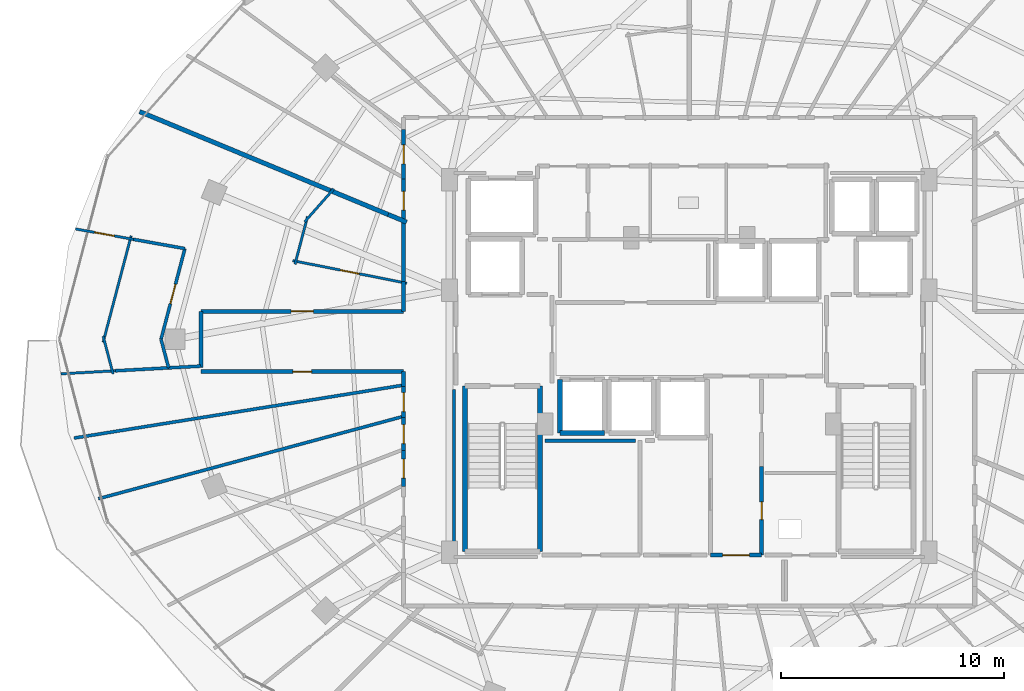
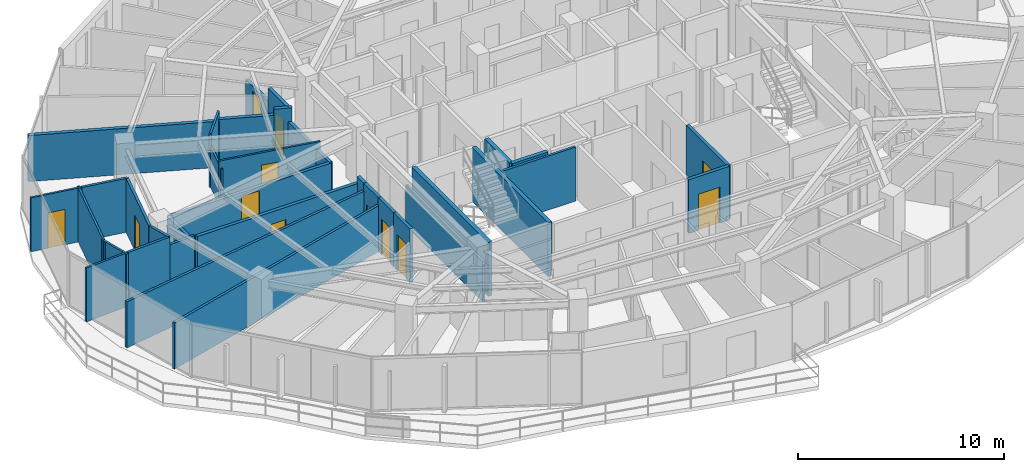
# One storey, part 25 of 33: 36 walls, 12 doors, 12 openings.
"""IFC4 building model written with IfcOpenShell, lengths in metres."""

from ifc_helpers import new_model, si_unit, direction, frame, frame_2d, origin, place, context, subcontext, project, spatial, rectangle, extrude, material, layer, layer_set, type_object, element, fill, save


model = new_model("IFC4")

# Units and contexts
model_context = context("Model", 3, precision=1e-05, world=origin(), true_north=direction((0.0, 1.0)))
body_context = subcontext(model_context, "Body", "Model", "MODEL_VIEW")
ifc_project = project(units=[si_unit("LENGTHUNIT", "METRE"), si_unit("AREAUNIT", "SQUARE_METRE"), si_unit("VOLUMEUNIT", "CUBIC_METRE"), si_unit("PLANEANGLEUNIT", "RADIAN"), si_unit("MASSUNIT", "GRAM", prefix="KILO")], contexts=[model_context])

# Site, building, storey
site_placement = place(None, origin())
site = spatial("IfcSite", under=ifc_project, at=site_placement, CompositionType="ELEMENT")
building_placement = place(site_placement, origin())
building = spatial("IfcBuilding", under=site, at=building_placement, Name="Vorneva Point Tower", CompositionType="ELEMENT")
storey_placement = place(building_placement, frame((0.0, 0.0, 221.39990234375)))
storey = spatial("IfcBuildingStorey", under=building, at=storey_placement, Name="L60", CompositionType="ELEMENT", Elevation=221.39990234375)

# Wall, opening, door
ifc_material_1 = material(Name="Fire-rated acoustic gypsum stud partition", Category="gypsum")
ifc_layer_1 = layer(ifc_material_1, 0.110107421875)
ifc_layer_set_1 = layer_set([ifc_layer_1], Name="Fire-rated acoustic gypsum stud partition")
wall_type_1 = type_object("IfcWallType", Name="WL-PART-110", PredefinedType="PARTITIONING", material=ifc_layer_set_1)
wall_1_placement = place(storey_placement, frame((25.33740234375, 28.5107421875, 0.0), z_axis=(0.0, 0.0, 1.0), x_axis=(-0.980930272027, 0.194359978959, 0.0)))
wall_1 = element("IfcWall", 1, at=wall_1_placement, inside=storey, type_object=wall_type_1, Name="L60 Interior Partition 116", PredefinedType="PARTITIONING", context=body_context, shape_type="SweptSolid", body=[
    extrude(rectangle(XDim=5.214111328125, YDim=0.110107421875, at=frame_2d((2.60693359375, 0.0))), origin(), (0.0, 0.0, 1.0), 2.833984375),
])
opening_1_placement = place(wall_1_placement, frame((2.181884765625, 0.0, 0.0)))
opening_1 = element("IfcOpeningElement", 2, at=opening_1_placement, cuts=wall_1, Name="Opening ID-02", PredefinedType="OPENING", context=body_context, shape_type="SweptSolid", body=[
    extrude(rectangle(XDim=0.85009765625, YDim=2.10009765625, at=frame_2d((0.425048828125, 1.050048828125))), frame((0.0, 0.06982421875, 0.0), z_axis=(0.0, -1.0, 0.0), x_axis=(1.0, 0.0, 0.0)), (0.0, 0.0, 1.0), 0.139892578125),
])
ifc_material_2 = material(Name="Engineered oak fire-rated door leaf", Category="wood")
door_type_1 = type_object("IfcDoorType", Name="DR-BATH-850", OperationType="NOTDEFINED", PredefinedType="DOOR", material=ifc_material_2)
door_1_placement = place(opening_1_placement, origin())
door_1 = element("IfcDoor", 3, at=door_1_placement, inside=storey, type_object=door_type_1, Name="L60 Door Living and Dining Room L60-03 / Bathroom L60-03", OperationType="SINGLE_SWING_RIGHT", OverallHeight=2.10009765625, OverallWidth=0.85009765625, PredefinedType="DOOR", context=body_context, shape_type="SweptSolid", body=[
    extrude(rectangle(XDim=0.85009765625, YDim=2.10009765625, at=frame_2d((0.425048828125, 1.050048828125))), frame((0.0, 0.02490234375, 0.0), z_axis=(0.0, -1.0, 0.0), x_axis=(1.0, 0.0, 0.0)), (0.0, 0.0, 1.0), 0.050048828125),
])
fill(opening_1, door_1)

# Walls
wall_2_placement = place(storey_placement, frame((20.324462890625, 29.361572265625, 0.0), z_axis=(0.0, 0.0, 1.0), x_axis=(0.254406599134, 0.967097348935, 0.0)))
element("IfcWall", 4, at=wall_2_placement, inside=storey, type_object=wall_type_1, Name="L60 Interior Partition 117", PredefinedType="PARTITIONING", context=body_context, shape_type="SweptSolid", body=[
    extrude(rectangle(XDim=2.2177734375, YDim=0.110107421875, at=frame_2d((1.10888671875, 0.0))), origin(), (0.0, 0.0, 1.0), 2.39208984375),
])
wall_3_placement = place(storey_placement, frame((20.760498046875, 31.26611328125, 0.0), z_axis=(0.0, 0.0, 1.0), x_axis=(0.661699472354, 0.749769170003, 0.0)))
element("IfcWall", 5, at=wall_3_placement, inside=storey, type_object=wall_type_1, Name="L60 Interior Partition 118", PredefinedType="PARTITIONING", context=body_context, shape_type="SweptSolid", body=[
    extrude(rectangle(XDim=1.970947265625, YDim=0.110107421875, at=frame_2d((0.9853515625, 0.0))), origin(), (0.0, 0.0, 1.0), 3.2001953125),
])
wall_4_placement = place(storey_placement, frame((12.273681640625, 24.584716796875, 0.0), z_axis=(0.0, 0.0, 1.0), x_axis=(-0.998485442787, -0.055016547898, 0.0)))
element("IfcWall", 6, at=wall_4_placement, inside=storey, type_object=wall_type_1, Name="L60 Interior Partition 119", PredefinedType="PARTITIONING", context=body_context, shape_type="SweptSolid", body=[
    extrude(rectangle(XDim=2.445068359375, YDim=0.110107421875, at=frame_2d((1.22265625, 0.0))), origin(), (0.0, 0.0, 1.0), 3.2001953125),
])

# Wall, opening, door
wall_5_placement = place(storey_placement, frame((10.480224609375, 30.94580078125, 0.0), z_axis=(0.0, 0.0, 1.0), x_axis=(0.98423288508, -0.176877437587, 0.0)))
wall_5 = element("IfcWall", 7, at=wall_5_placement, inside=storey, type_object=wall_type_1, Name="L60 Interior Partition 120", PredefinedType="PARTITIONING", context=body_context, shape_type="SweptSolid", body=[
    extrude(rectangle(XDim=2.643310546875, YDim=0.110107421875, at=frame_2d((1.32177734375, 0.0))), origin(), (0.0, 0.0, 1.0), 3.2001953125),
])
opening_2_placement = place(wall_5_placement, frame((0.87158203125, 0.0, 0.0)))
opening_2 = element("IfcOpeningElement", 8, at=opening_2_placement, cuts=wall_5, Name="Opening ID-01", PredefinedType="OPENING", context=body_context, shape_type="SweptSolid", body=[
    extrude(rectangle(XDim=0.89990234375, YDim=2.10009765625, at=frame_2d((0.449951171875, 1.050048828125))), frame((0.0, 0.06982421875, 0.0), z_axis=(0.0, -1.0, 0.0), x_axis=(1.0, 0.0, 0.0)), (0.0, 0.0, 1.0), 0.139892578125),
])
door_type_2 = type_object("IfcDoorType", Name="DR-ROOM-900", OperationType="NOTDEFINED", PredefinedType="DOOR", material=ifc_material_2)
door_2_placement = place(opening_2_placement, origin())
door_2 = element("IfcDoor", 9, at=door_2_placement, inside=storey, type_object=door_type_2, Name="L60 Door Living and Dining Room L60-03 / Kitchen L60-03", OperationType="SINGLE_SWING_LEFT", OverallHeight=2.10009765625, OverallWidth=0.89990234375, PredefinedType="DOOR", context=body_context, shape_type="SweptSolid", body=[
    extrude(rectangle(XDim=0.89990234375, YDim=2.10009765625, at=frame_2d((0.449951171875, 1.050048828125))), frame((0.0, 0.02490234375, 0.0), z_axis=(0.0, -1.0, 0.0), x_axis=(1.0, 0.0, 0.0)), (0.0, 0.0, 1.0), 0.050048828125),
])
fill(opening_2, door_2)

# Walls
wall_6_placement = place(storey_placement, frame((12.169677734375, 24.441650390625, 0.0), z_axis=(0.0, 0.0, 1.0), x_axis=(-0.254260000639, 0.967135901554, 0.0)))
element("IfcWall", 10, at=wall_6_placement, inside=storey, type_object=wall_type_1, Name="L60 Interior Partition 126", PredefinedType="PARTITIONING", context=body_context, shape_type="SweptSolid", body=[
    extrude(rectangle(XDim=1.75146484375, YDim=0.110107421875, at=frame_2d((0.875732421875, 0.0))), origin(), (0.0, 0.0, 1.0), 3.2001953125),
])
wall_7_placement = place(storey_placement, frame((11.724365234375, 25.864501953125, 0.0), z_axis=(0.0, 0.0, 1.0), x_axis=(0.254271749518, 0.967132812698, 0.0)))
element("IfcWall", 11, at=wall_7_placement, inside=storey, type_object=wall_type_1, Name="L60 Interior Partition 127", PredefinedType="PARTITIONING", context=body_context, shape_type="SweptSolid", body=[
    extrude(rectangle(XDim=4.936279296875, YDim=0.110107421875, at=frame_2d((2.46826171875, 0.0))), origin(), (0.0, 0.0, 1.0), 3.2001953125),
])

# Wall, opening, door
ifc_layer_2 = layer(ifc_material_1, 0.139892578125)
ifc_layer_set_2 = layer_set([ifc_layer_2], Name="Fire-rated acoustic gypsum stud partition")
wall_type_2 = type_object("IfcWallType", Name="WL-PART-140", PredefinedType="PARTITIONING", material=ifc_layer_set_2)
wall_8_placement = place(storey_placement, frame((15.388916015625, 30.06396484375, 0.0), z_axis=(0.0, 0.0, 1.0), x_axis=(-0.254356027292, -0.967110651053, 0.0)))
wall_8 = element("IfcWall", 12, at=wall_8_placement, inside=storey, type_object=wall_type_2, Name="L60 Interior Partition 121", PredefinedType="PARTITIONING", context=body_context, shape_type="SweptSolid", body=[
    extrude(rectangle(XDim=4.2021484375, YDim=0.139892578125, at=frame_2d((2.10107421875, 0.0))), origin(), (0.0, 0.0, 1.0), 3.2001953125),
])
opening_3_placement = place(wall_8_placement, frame((1.651123046875, 0.0, 0.0)))
opening_3 = element("IfcOpeningElement", 13, at=opening_3_placement, cuts=wall_8, Name="Opening ID-01", PredefinedType="OPENING", context=body_context, shape_type="SweptSolid", body=[
    extrude(rectangle(XDim=0.89990234375, YDim=2.10009765625, at=frame_2d((0.449951171875, 1.050048828125))), frame((0.0, 0.0849609375, 0.0), z_axis=(0.0, -1.0, 0.0), x_axis=(1.0, 0.0, 0.0)), (0.0, 0.0, 1.0), 0.169677734375),
])
door_3_placement = place(opening_3_placement, origin())
door_3 = element("IfcDoor", 14, at=door_3_placement, inside=storey, type_object=door_type_2, Name="L60 Door Living and Dining Room L60-03 / Study Room L60-03", OperationType="SINGLE_SWING_RIGHT", OverallHeight=2.10009765625, OverallWidth=0.89990234375, PredefinedType="DOOR", context=body_context, shape_type="SweptSolid", body=[
    extrude(rectangle(XDim=0.89990234375, YDim=2.10009765625, at=frame_2d((0.449951171875, 1.050048828125))), frame((0.0, 0.02490234375, 0.0), z_axis=(0.0, -1.0, 0.0), x_axis=(1.0, 0.0, 0.0)), (0.0, 0.0, 1.0), 0.050048828125),
])
fill(opening_3, door_3)

# Walls
wall_9_placement = place(storey_placement, frame((14.320068359375, 26.0, 0.0), z_axis=(0.0, 0.0, 1.0), x_axis=(0.254502350799, -0.967072155239, 0.0)))
element("IfcWall", 15, at=wall_9_placement, inside=storey, type_object=wall_type_2, Name="L60 Interior Partition 122", PredefinedType="PARTITIONING", context=body_context, shape_type="SweptSolid", body=[
    extrude(rectangle(XDim=1.32763671875, YDim=0.139892578125, at=frame_2d((0.663818359375, 0.0))), origin(), (0.0, 0.0, 1.0), 3.2001953125),
])
wall_10_placement = place(storey_placement, frame((14.657958984375, 24.716064453125, 0.0), z_axis=(0.0, 0.0, 1.0), x_axis=(-0.998486041439, -0.055005681988, 0.0)))
element("IfcWall", 16, at=wall_10_placement, inside=storey, type_object=wall_type_2, Name="L60 Interior Partition 123", PredefinedType="PARTITIONING", context=body_context, shape_type="SweptSolid", body=[
    extrude(rectangle(XDim=2.387939453125, YDim=0.139892578125, at=frame_2d((1.19384765625, 0.0))), origin(), (0.0, 0.0, 1.0), 3.2001953125),
])
wall_11_placement = place(storey_placement, frame((13.081787109375, 30.478271484375, 0.0), z_axis=(0.0, 0.0, 1.0), x_axis=(0.984255878712, -0.176749441923, 0.0)))
element("IfcWall", 17, at=wall_11_placement, inside=storey, type_object=wall_type_2, Name="L60 Interior Partition 124", PredefinedType="PARTITIONING", context=body_context, shape_type="SweptSolid", body=[
    extrude(rectangle(XDim=2.343994140625, YDim=0.139892578125, at=frame_2d((1.171875, 0.0))), origin(), (0.0, 0.0, 1.0), 3.2001953125),
])
wall_12_placement = place(storey_placement, frame((14.657958984375, 24.7158203125, 0.0), z_axis=(0.0, 0.0, 1.0), x_axis=(0.99849911476, 0.054767853933, 0.0)))
element("IfcWall", 18, at=wall_12_placement, inside=storey, type_object=wall_type_2, Name="L60 Interior Partition 125", PredefinedType="PARTITIONING", context=body_context, shape_type="SweptSolid", body=[
    extrude(rectangle(XDim=1.4443359375, YDim=0.139892578125, at=frame_2d((0.72216796875, 0.0))), origin(), (0.0, 0.0, 1.0), 2.734130859375),
])
wall_13_placement = place(storey_placement, frame((10.422119140625, 21.569091796875, 0.0), z_axis=(0.0, 0.0, 1.0), x_axis=(0.987340682458, 0.158613923612, 0.0)))
element("IfcWall", 19, at=wall_13_placement, inside=storey, type_object=wall_type_2, Name="L60 Interior Partition 128", PredefinedType="PARTITIONING", context=body_context, shape_type="SweptSolid", body=[
    extrude(rectangle(XDim=14.96728515625, YDim=0.139892578125, at=frame_2d((7.483642578125, 0.0))), origin(), (0.0, 0.0, 1.0), 2.734130859375),
])
wall_14_placement = place(storey_placement, frame((11.510986328125, 18.84912109375, 0.0), z_axis=(0.0, 0.0, 1.0), x_axis=(0.965432982217, 0.260651408682, 0.0)))
element("IfcWall", 20, at=wall_14_placement, inside=storey, type_object=wall_type_2, Name="L60 Interior Partition 129", PredefinedType="PARTITIONING", context=body_context, shape_type="SweptSolid", body=[
    extrude(rectangle(XDim=14.17919921875, YDim=0.139892578125, at=frame_2d((7.089599609375, 0.0))), origin(), (0.0, 0.0, 1.0), 2.734130859375),
])
wall_15_placement = place(storey_placement, frame((35.580078125, 21.449951171875, 0.0), z_axis=(0.0, 0.0, 1.0), x_axis=(-1.0, 0.0, 0.0)))
element("IfcWall", 21, at=wall_15_placement, inside=storey, type_object=wall_type_2, Name="L60 Interior Closure Partition 165", PredefinedType="PARTITIONING", context=body_context, shape_type="SweptSolid", body=[
    extrude(rectangle(XDim=4.050048828125, YDim=0.139892578125, at=frame_2d((2.02490234375, 0.0))), origin(), (0.0, 0.0, 1.0), 3.2001953125),
])
wall_16_placement = place(storey_placement, frame((27.449951171875, 23.75390625, 0.0), z_axis=(0.0, 0.0, 1.0), x_axis=(0.0, -1.0, 0.0)))
element("IfcWall", 22, at=wall_16_placement, inside=storey, type_object=wall_type_2, Name="L60 Interior Closure Partition 175", PredefinedType="PARTITIONING", context=body_context, shape_type="SweptSolid", body=[
    extrude(rectangle(XDim=7.513916015625, YDim=0.139892578125, at=frame_2d((3.7568359375, 0.0))), origin(), (0.0, 0.0, 1.0), 2.39208984375),
])

# Wall, opening, door
ifc_material_3 = material(Name="Autoclaved aerated concrete blockwork", Category="masonry")
ifc_layer_3 = layer(ifc_material_3, 0.179931640625)
ifc_layer_set_3 = layer_set([ifc_layer_3], Name="Autoclaved aerated concrete blockwork")
wall_type_3 = type_object("IfcWallType", Name="WL-PART-180", PredefinedType="PARTITIONING", material=ifc_layer_set_3)
wall_17_placement = place(storey_placement, frame((41.25, 16.320068359375, 0.0), z_axis=(0.0, 0.0, 1.0), x_axis=(0.0, 1.0, 0.0)))
wall_17 = element("IfcWall", 23, at=wall_17_placement, inside=storey, type_object=wall_type_3, Name="L60 Interior Partition 013", PredefinedType="PARTITIONING", context=body_context, shape_type="SweptSolid", body=[
    extrude(rectangle(XDim=3.98486328125, YDim=0.179931640625, at=frame_2d((1.992431640625, 0.0))), origin(), (0.0, 0.0, 1.0), 3.2001953125),
])
opening_4_placement = place(wall_17_placement, frame((1.592529296875, 0.0, 0.0)))
opening_4 = element("IfcOpeningElement", 24, at=opening_4_placement, cuts=wall_17, Name="Opening RD-01", PredefinedType="OPENING", context=body_context, shape_type="SweptSolid", body=[
    extrude(rectangle(XDim=0.800048828125, YDim=2.050048828125, at=frame_2d((0.39990234375, 1.02490234375))), frame((0.0, 0.10498046875, 0.0), z_axis=(0.0, -1.0, 0.0), x_axis=(1.0, 0.0, 0.0)), (0.0, 0.0, 1.0), 0.209716796875),
])
ifc_material_4 = material(Name="Fire-rated powder-coated steel", Category="steel")
door_type_3 = type_object("IfcDoorType", Name="DR-RSR-800", OperationType="SINGLE_SWING_LEFT", PredefinedType="DOOR", material=ifc_material_4)
door_4_placement = place(opening_4_placement, origin())
door_4 = element("IfcDoor", 25, at=door_4_placement, inside=storey, type_object=door_type_3, Name="L60 Door Core Service Lobby / Electrical Riser", OperationType="SINGLE_SWING_LEFT", OverallHeight=2.050048828125, OverallWidth=0.800048828125, PredefinedType="DOOR", context=body_context, shape_type="SweptSolid", body=[
    extrude(rectangle(XDim=0.800048828125, YDim=2.050048828125, at=frame_2d((0.39990234375, 1.02490234375))), frame((0.0, 0.02490234375, 0.0), z_axis=(0.0, -1.0, 0.0), x_axis=(1.0, 0.0, 0.0)), (0.0, 0.0, 1.0), 0.050048828125),
])
fill(opening_4, door_4)

wall_18_placement = place(storey_placement, frame((38.949951171875, 16.320068359375, 0.0), z_axis=(0.0, 0.0, 1.0), x_axis=(1.0, 0.0, 0.0)))
wall_18 = element("IfcWall", 26, at=wall_18_placement, inside=storey, type_object=wall_type_3, Name="L60 Interior Partition 016", PredefinedType="PARTITIONING", context=body_context, shape_type="SweptSolid", body=[
    extrude(rectangle(XDim=2.300048828125, YDim=0.179931640625, at=frame_2d((1.14990234375, 0.0))), origin(), (0.0, 0.0, 1.0), 3.2001953125),
])
opening_5_placement = place(wall_18_placement, frame((0.550048828125, 0.0, 0.0)))
opening_5 = element("IfcOpeningElement", 27, at=opening_5_placement, cuts=wall_18, Name="Opening FD-02", PredefinedType="OPENING", context=body_context, shape_type="SweptSolid", body=[
    extrude(rectangle(XDim=1.199951171875, YDim=2.14990234375, at=frame_2d((0.60009765625, 1.074951171875))), frame((0.0, 0.10498046875, 0.0), z_axis=(0.0, -1.0, 0.0), x_axis=(1.0, 0.0, 0.0)), (0.0, 0.0, 1.0), 0.209716796875),
])
door_type_4 = type_object("IfcDoorType", Name="DR-FFL-1200", OperationType="NOTDEFINED", PredefinedType="DOOR", material=ifc_material_4)
door_5_placement = place(opening_5_placement, origin())
door_5 = element("IfcDoor", 28, at=door_5_placement, inside=storey, type_object=door_type_4, Name="L60 Door Core Service Lobby / L60 Circulation Corridor", OperationType="SINGLE_SWING_RIGHT", OverallHeight=2.14990234375, OverallWidth=1.199951171875, PredefinedType="DOOR", context=body_context, shape_type="SweptSolid", body=[
    extrude(rectangle(XDim=1.199951171875, YDim=2.14990234375, at=frame_2d((0.60009765625, 1.074951171875))), frame((0.0, 0.02490234375, 0.0), z_axis=(0.0, -1.0, 0.0), x_axis=(1.0, 0.0, 0.0)), (0.0, 0.0, 1.0), 0.050048828125),
])
fill(opening_5, door_5)

wall_19_placement = place(storey_placement, frame((25.199951171875, 35.39404296875, 0.0), z_axis=(0.0, 0.0, 1.0), x_axis=(0.0, -1.0, 0.0)))
wall_19 = element("IfcWall", 29, at=wall_19_placement, inside=storey, type_object=wall_type_3, Name="L60 Interior Partition 046", PredefinedType="PARTITIONING", context=body_context, shape_type="SweptSolid", body=[
    extrude(rectangle(XDim=2.218994140625, YDim=0.179931640625, at=frame_2d((1.109375, 0.0))), origin(), (0.0, 0.0, 1.0), 2.39208984375),
])
opening_6_placement = place(wall_19_placement, frame((0.6845703125, 0.0, 0.0)))
opening_6 = element("IfcOpeningElement", 30, at=opening_6_placement, cuts=wall_19, Name="Opening ID-02", PredefinedType="OPENING", context=body_context, shape_type="SweptSolid", body=[
    extrude(rectangle(XDim=0.85009765625, YDim=2.10009765625, at=frame_2d((0.425048828125, 1.050048828125))), frame((0.0, 0.10498046875, 0.0), z_axis=(0.0, -1.0, 0.0), x_axis=(1.0, 0.0, 0.0)), (0.0, 0.0, 1.0), 0.209716796875),
])
door_6_placement = place(opening_6_placement, origin())
door_6 = element("IfcDoor", 31, at=door_6_placement, inside=storey, type_object=door_type_1, Name="L60 Access Door L60 Circulation Corridor", OperationType="SINGLE_SWING_LEFT", OverallHeight=2.10009765625, OverallWidth=0.85009765625, PredefinedType="DOOR", context=body_context, shape_type="SweptSolid", body=[
    extrude(rectangle(XDim=0.85009765625, YDim=2.10009765625, at=frame_2d((0.425048828125, 1.050048828125))), frame((0.0, 0.02490234375, 0.0), z_axis=(0.0, -1.0, 0.0), x_axis=(1.0, 0.0, 0.0)), (0.0, 0.0, 1.0), 0.050048828125),
])
fill(opening_6, door_6)

wall_20_placement = place(storey_placement, frame((25.199951171875, 33.175048828125, 0.0), z_axis=(0.0, 0.0, 1.0), x_axis=(0.0, -1.0, 0.0)))
wall_20 = element("IfcWall", 32, at=wall_20_placement, inside=storey, type_object=wall_type_3, Name="L60 Interior Partition 047", PredefinedType="PARTITIONING", context=body_context, shape_type="SweptSolid", body=[
    extrude(rectangle(XDim=1.93310546875, YDim=0.179931640625, at=frame_2d((0.966552734375, 0.0))), origin(), (0.0, 0.0, 1.0), 3.2001953125),
])
opening_7_placement = place(wall_20_placement, frame((0.54150390625, 0.0, 0.0)))
opening_7 = element("IfcOpeningElement", 33, at=opening_7_placement, cuts=wall_20, Name="Opening ID-02", PredefinedType="OPENING", context=body_context, shape_type="SweptSolid", body=[
    extrude(rectangle(XDim=0.85009765625, YDim=2.10009765625, at=frame_2d((0.425048828125, 1.050048828125))), frame((0.0, 0.10498046875, 0.0), z_axis=(0.0, -1.0, 0.0), x_axis=(1.0, 0.0, 0.0)), (0.0, 0.0, 1.0), 0.209716796875),
])
door_7_placement = place(opening_7_placement, origin())
door_7 = element("IfcDoor", 34, at=door_7_placement, inside=storey, type_object=door_type_1, Name="L60 Access Door L60 Circulation Corridor", OperationType="SINGLE_SWING_RIGHT", OverallHeight=2.10009765625, OverallWidth=0.85009765625, PredefinedType="DOOR", context=body_context, shape_type="SweptSolid", body=[
    extrude(rectangle(XDim=0.85009765625, YDim=2.10009765625, at=frame_2d((0.425048828125, 1.050048828125))), frame((0.0, 0.02490234375, 0.0), z_axis=(0.0, -1.0, 0.0), x_axis=(1.0, 0.0, 0.0)), (0.0, 0.0, 1.0), 0.050048828125),
])
fill(opening_7, door_7)

# Walls
wall_21_placement = place(storey_placement, frame((16.10009765625, 27.25, 0.0), z_axis=(0.0, 0.0, 1.0), x_axis=(0.0, -1.0, 0.0)))
element("IfcWall", 35, at=wall_21_placement, inside=storey, type_object=wall_type_3, Name="L60 Interior Partition 048", PredefinedType="PARTITIONING", context=body_context, shape_type="SweptSolid", body=[
    extrude(rectangle(XDim=2.514892578125, YDim=0.179931640625, at=frame_2d((1.25732421875, 0.0))), origin(), (0.0, 0.0, 1.0), 2.39208984375),
])
wall_22_placement = place(storey_placement, frame((25.199951171875, 28.59912109375, 0.0), z_axis=(0.0, 0.0, 1.0), x_axis=(0.0, -1.0, 0.0)))
element("IfcWall", 36, at=wall_22_placement, inside=storey, type_object=wall_type_3, Name="L60 Interior Partition 049", PredefinedType="PARTITIONING", context=body_context, shape_type="SweptSolid", body=[
    extrude(rectangle(XDim=1.34912109375, YDim=0.179931640625, at=frame_2d((0.674560546875, 0.0))), origin(), (0.0, 0.0, 1.0), 2.39208984375),
])

# Wall, opening, door
wall_23_placement = place(storey_placement, frame((25.199951171875, 27.25, 0.0), z_axis=(0.0, 0.0, 1.0), x_axis=(-1.0, 0.0, 0.0)))
wall_23 = element("IfcWall", 37, at=wall_23_placement, inside=storey, type_object=wall_type_3, Name="L60 Interior Partition 050", PredefinedType="PARTITIONING", context=body_context, shape_type="SweptSolid", body=[
    extrude(rectangle(XDim=9.099853515625, YDim=0.179931640625, at=frame_2d((4.5498046875, 0.0))), origin(), (0.0, 0.0, 1.0), 2.39208984375),
])
opening_8_placement = place(wall_23_placement, frame((4.050048828125, 0.0, 0.0)))
opening_8 = element("IfcOpeningElement", 38, at=opening_8_placement, cuts=wall_23, Name="Opening UD-01", PredefinedType="OPENING", context=body_context, shape_type="SweptSolid", body=[
    extrude(rectangle(XDim=1.0, YDim=2.14990234375, at=frame_2d((0.5, 1.074951171875))), frame((0.0, 0.10498046875, 0.0), z_axis=(0.0, -1.0, 0.0), x_axis=(1.0, 0.0, 0.0)), (0.0, 0.0, 1.0), 0.209716796875),
])
door_type_5 = type_object("IfcDoorType", Name="DR-UNIT-1000", OperationType="NOTDEFINED", PredefinedType="DOOR", material=ifc_material_2)
door_8_placement = place(opening_8_placement, origin())
door_8 = element("IfcDoor", 39, at=door_8_placement, inside=storey, type_object=door_type_5, Name="L60 Door L60 Circulation Corridor / Living and Dining Room L60-03", OperationType="SINGLE_SWING_LEFT", OverallHeight=2.14990234375, OverallWidth=1.0, PredefinedType="DOOR", context=body_context, shape_type="SweptSolid", body=[
    extrude(rectangle(XDim=1.0, YDim=2.14990234375, at=frame_2d((0.5, 1.074951171875))), frame((0.0, 0.02490234375, 0.0), z_axis=(0.0, -1.0, 0.0), x_axis=(1.0, 0.0, 0.0)), (0.0, 0.0, 1.0), 0.050048828125),
])
fill(opening_8, door_8)

# Wall
wall_24_placement = place(storey_placement, frame((25.199951171875, 31.382080078125, 0.0), z_axis=(0.0, 0.0, 1.0), x_axis=(0.0, -1.0, 0.0)))
element("IfcWall", 40, at=wall_24_placement, inside=storey, type_object=wall_type_3, Name="L60 Interior Partition 051", PredefinedType="PARTITIONING", context=body_context, shape_type="SweptSolid", body=[
    extrude(rectangle(XDim=2.923095703125, YDim=0.179931640625, at=frame_2d((1.46142578125, 0.0))), origin(), (0.0, 0.0, 1.0), 2.39208984375),
])

# Wall, opening, door
wall_25_placement = place(storey_placement, frame((16.10009765625, 24.550048828125, 0.0), z_axis=(0.0, 0.0, 1.0), x_axis=(1.0, 0.0, 0.0)))
wall_25 = element("IfcWall", 41, at=wall_25_placement, inside=storey, type_object=wall_type_3, Name="L60 Interior Partition 052", PredefinedType="PARTITIONING", context=body_context, shape_type="SweptSolid", body=[
    extrude(rectangle(XDim=9.099853515625, YDim=0.179931640625, at=frame_2d((4.5498046875, 0.0))), origin(), (0.0, 0.0, 1.0), 2.833984375),
])
opening_9_placement = place(wall_25_placement, frame((4.125, 0.0, 0.0)))
opening_9 = element("IfcOpeningElement", 42, at=opening_9_placement, cuts=wall_25, Name="Opening ID-02", PredefinedType="OPENING", context=body_context, shape_type="SweptSolid", body=[
    extrude(rectangle(XDim=0.85009765625, YDim=2.10009765625, at=frame_2d((0.425048828125, 1.050048828125))), frame((0.0, 0.10498046875, 0.0), z_axis=(0.0, -1.0, 0.0), x_axis=(1.0, 0.0, 0.0)), (0.0, 0.0, 1.0), 0.209716796875),
])
door_9_placement = place(opening_9_placement, origin())
door_9 = element("IfcDoor", 43, at=door_9_placement, inside=storey, type_object=door_type_1, Name="L60 Access Door L60 Circulation Corridor", OperationType="SINGLE_SWING_LEFT", OverallHeight=2.10009765625, OverallWidth=0.85009765625, PredefinedType="DOOR", context=body_context, shape_type="SweptSolid", body=[
    extrude(rectangle(XDim=0.85009765625, YDim=2.10009765625, at=frame_2d((0.425048828125, 1.050048828125))), frame((0.0, 0.02490234375, 0.0), z_axis=(0.0, -1.0, 0.0), x_axis=(1.0, 0.0, 0.0)), (0.0, 0.0, 1.0), 0.050048828125),
])
fill(opening_9, door_9)

# Wall
wall_26_placement = place(storey_placement, frame((25.199951171875, 24.550048828125, 0.0), z_axis=(0.0, 0.0, 1.0), x_axis=(0.0, -1.0, 0.0)))
element("IfcWall", 44, at=wall_26_placement, inside=storey, type_object=wall_type_3, Name="L60 Interior Partition 053", PredefinedType="PARTITIONING", context=body_context, shape_type="SweptSolid", body=[
    extrude(rectangle(XDim=0.66796875, YDim=0.179931640625, at=frame_2d((0.333984375, 0.0))), origin(), (0.0, 0.0, 1.0), 3.2001953125),
])

# Wall, opening, door
wall_27_placement = place(storey_placement, frame((25.199951171875, 23.882080078125, 0.0), z_axis=(0.0, 0.0, 1.0), x_axis=(0.0, -1.0, 0.0)))
wall_27 = element("IfcWall", 45, at=wall_27_placement, inside=storey, type_object=wall_type_3, Name="L60 Interior Partition 054", PredefinedType="PARTITIONING", context=body_context, shape_type="SweptSolid", body=[
    extrude(rectangle(XDim=1.399169921875, YDim=0.179931640625, at=frame_2d((0.69970703125, 0.0))), origin(), (0.0, 0.0, 1.0), 3.2001953125),
])
opening_10_placement = place(wall_27_placement, frame((0.2744140625, 0.0, 0.0)))
opening_10 = element("IfcOpeningElement", 46, at=opening_10_placement, cuts=wall_27, Name="Opening ID-02", PredefinedType="OPENING", context=body_context, shape_type="SweptSolid", body=[
    extrude(rectangle(XDim=0.85009765625, YDim=2.10009765625, at=frame_2d((0.425048828125, 1.050048828125))), frame((0.0, 0.10498046875, 0.0), z_axis=(0.0, -1.0, 0.0), x_axis=(1.0, 0.0, 0.0)), (0.0, 0.0, 1.0), 0.209716796875),
])
door_10_placement = place(opening_10_placement, origin())
door_10 = element("IfcDoor", 47, at=door_10_placement, inside=storey, type_object=door_type_1, Name="L60 Access Door L60 Circulation Corridor", OperationType="SINGLE_SWING_RIGHT", OverallHeight=2.10009765625, OverallWidth=0.85009765625, PredefinedType="DOOR", context=body_context, shape_type="SweptSolid", body=[
    extrude(rectangle(XDim=0.85009765625, YDim=2.10009765625, at=frame_2d((0.425048828125, 1.050048828125))), frame((0.0, 0.02490234375, 0.0), z_axis=(0.0, -1.0, 0.0), x_axis=(1.0, 0.0, 0.0)), (0.0, 0.0, 1.0), 0.050048828125),
])
fill(opening_10, door_10)

wall_28_placement = place(storey_placement, frame((25.199951171875, 22.48291015625, 0.0), z_axis=(0.0, 0.0, 1.0), x_axis=(0.0, -1.0, 0.0)))
wall_28 = element("IfcWall", 48, at=wall_28_placement, inside=storey, type_object=wall_type_3, Name="L60 Interior Partition 055", PredefinedType="PARTITIONING", context=body_context, shape_type="SweptSolid", body=[
    extrude(rectangle(XDim=1.48193359375, YDim=0.179931640625, at=frame_2d((0.740966796875, 0.0))), origin(), (0.0, 0.0, 1.0), 3.2001953125),
])
opening_11_placement = place(wall_28_placement, frame((0.31591796875, 0.0, 0.0)))
opening_11 = element("IfcOpeningElement", 49, at=opening_11_placement, cuts=wall_28, Name="Opening ID-02", PredefinedType="OPENING", context=body_context, shape_type="SweptSolid", body=[
    extrude(rectangle(XDim=0.85009765625, YDim=2.10009765625, at=frame_2d((0.425048828125, 1.050048828125))), frame((0.0, 0.10498046875, 0.0), z_axis=(0.0, -1.0, 0.0), x_axis=(1.0, 0.0, 0.0)), (0.0, 0.0, 1.0), 0.209716796875),
])
door_11_placement = place(opening_11_placement, origin())
door_11 = element("IfcDoor", 50, at=door_11_placement, inside=storey, type_object=door_type_1, Name="L60 Access Door L60 Circulation Corridor", OperationType="SINGLE_SWING_LEFT", OverallHeight=2.10009765625, OverallWidth=0.85009765625, PredefinedType="DOOR", context=body_context, shape_type="SweptSolid", body=[
    extrude(rectangle(XDim=0.85009765625, YDim=2.10009765625, at=frame_2d((0.425048828125, 1.050048828125))), frame((0.0, 0.02490234375, 0.0), z_axis=(0.0, -1.0, 0.0), x_axis=(1.0, 0.0, 0.0)), (0.0, 0.0, 1.0), 0.050048828125),
])
fill(opening_11, door_11)

wall_29_placement = place(storey_placement, frame((25.199951171875, 21.0009765625, 0.0), z_axis=(0.0, 0.0, 1.0), x_axis=(0.0, -1.0, 0.0)))
wall_29 = element("IfcWall", 51, at=wall_29_placement, inside=storey, type_object=wall_type_3, Name="L60 Interior Partition 056", PredefinedType="PARTITIONING", context=body_context, shape_type="SweptSolid", body=[
    extrude(rectangle(XDim=1.60791015625, YDim=0.179931640625, at=frame_2d((0.803955078125, 0.0))), origin(), (0.0, 0.0, 1.0), 3.2001953125),
])
opening_12_placement = place(wall_29_placement, frame((0.37890625, 0.0, 0.0)))
opening_12 = element("IfcOpeningElement", 52, at=opening_12_placement, cuts=wall_29, Name="Opening ID-02", PredefinedType="OPENING", context=body_context, shape_type="SweptSolid", body=[
    extrude(rectangle(XDim=0.85009765625, YDim=2.10009765625, at=frame_2d((0.425048828125, 1.050048828125))), frame((0.0, 0.10498046875, 0.0), z_axis=(0.0, -1.0, 0.0), x_axis=(1.0, 0.0, 0.0)), (0.0, 0.0, 1.0), 0.209716796875),
])
door_12_placement = place(opening_12_placement, origin())
door_12 = element("IfcDoor", 53, at=door_12_placement, inside=storey, type_object=door_type_1, Name="L60 Access Door L60 Circulation Corridor", OperationType="SINGLE_SWING_RIGHT", OverallHeight=2.10009765625, OverallWidth=0.85009765625, PredefinedType="DOOR", context=body_context, shape_type="SweptSolid", body=[
    extrude(rectangle(XDim=0.85009765625, YDim=2.10009765625, at=frame_2d((0.425048828125, 1.050048828125))), frame((0.0, 0.02490234375, 0.0), z_axis=(0.0, -1.0, 0.0), x_axis=(1.0, 0.0, 0.0)), (0.0, 0.0, 1.0), 0.050048828125),
])
fill(opening_12, door_12)

# Walls
ifc_layer_4 = layer(ifc_material_3, 0.199951171875)
ifc_layer_set_4 = layer_set([ifc_layer_4], Name="Autoclaved aerated concrete blockwork")
wall_type_4 = type_object("IfcWallType", Name="WL-PART-200", PredefinedType="PARTITIONING", material=ifc_layer_set_4)
wall_30_placement = place(storey_placement, frame((13.360107421875, 36.2060546875, 0.0), z_axis=(0.0, 0.0, 1.0), x_axis=(0.923875681471, -0.382692729466, 0.0)))
element("IfcWall", 54, at=wall_30_placement, inside=storey, type_object=wall_type_4, Name="L60 Interior Partition 113", PredefinedType="PARTITIONING", context=body_context, shape_type="SweptSolid", body=[
    extrude(rectangle(XDim=9.381103515625, YDim=0.199951171875, at=frame_2d((4.6904296875, 0.0))), origin(), (0.0, 0.0, 1.0), 2.734130859375),
])
wall_31_placement = place(storey_placement, frame((24.501708984375, 31.591552734375, 0.0), z_axis=(0.0, 0.0, 1.0), x_axis=(0.923704487622, -0.383105755043, 0.0)))
element("IfcWall", 55, at=wall_31_placement, inside=storey, type_object=wall_type_4, Name="L60 Interior Partition 114", PredefinedType="PARTITIONING", context=body_context, shape_type="SweptSolid", body=[
    extrude(rectangle(XDim=0.89599609375, YDim=0.199951171875, at=frame_2d((0.447998046875, 0.0))), origin(), (0.0, 0.0, 1.0), 3.2001953125),
])
wall_32_placement = place(storey_placement, frame((21.897705078125, 32.669677734375, 0.0), z_axis=(0.0, 0.0, 1.0), x_axis=(0.923953480513, -0.382504857286, 0.0)))
element("IfcWall", 56, at=wall_32_placement, inside=storey, type_object=wall_type_4, Name="L60 Interior Partition 115", PredefinedType="PARTITIONING", context=body_context, shape_type="SweptSolid", body=[
    extrude(rectangle(XDim=2.958251953125, YDim=0.199951171875, at=frame_2d((1.47900390625, 0.0))), origin(), (0.0, 0.0, 1.0), 2.833984375),
])
ifc_material_5 = material(Name="Concrete B50 (C40/50)", Category="concrete")
ifc_layer_5 = layer(ifc_material_5, 0.219970703125)
ifc_layer_set_5 = layer_set([ifc_layer_5], Name="Concrete B50 (C40/50)")
wall_type_5 = type_object("IfcWallType", Name="WL-SHFT-220", PredefinedType="SOLIDWALL", material=ifc_layer_set_5)
for number, where, z_axis, x_axis, name in (
    (57, (31.31005859375, 23.909912109375, 0.0), (0.0, 0.0, 1.0), (0.0, -1.0, 0.0), "L60 Exit Stair ST1 Shaft Wall right"),
    (58, (27.93994140625, 16.489990234375, 0.0), (0.0, 0.0, 1.0), (0.0, 1.0, 0.0), "L60 Exit Stair ST1 Shaft Wall left"),
):
    element("IfcWall", number, at=place(storey_placement, frame(where, z_axis=z_axis, x_axis=x_axis)), inside=storey, type_object=wall_type_5, Name=name, PredefinedType="SOLIDWALL", context=body_context, shape_type="SweptSolid", body=[
        extrude(rectangle(XDim=7.419921875, YDim=0.219970703125, at=frame_2d((3.7099609375, 0.0))), origin(), (0.0, 0.0, 1.0), 3.2001953125),
    ])
wall_33_placement = place(storey_placement, frame((32.199951171875, 21.800048828125, 0.0), z_axis=(0.0, 0.0, 1.0), x_axis=(1.0, 0.0, 0.0)))
element("IfcWall", 59, at=wall_33_placement, inside=storey, type_object=wall_type_5, Name="L60 Lift PL4 Shaft Wall -Y", PredefinedType="SOLIDWALL", context=body_context, shape_type="SweptSolid", body=[
    extrude(rectangle(XDim=2.0, YDim=0.219970703125, at=frame_2d((1.0, 0.0))), origin(), (0.0, 0.0, 1.0), 3.2001953125),
])
wall_34_placement = place(storey_placement, frame((32.199951171875, 24.199951171875, 0.0), z_axis=(0.0, 0.0, 1.0), x_axis=(0.0, -1.0, 0.0)))
element("IfcWall", 60, at=wall_34_placement, inside=storey, type_object=wall_type_5, Name="L60 Lift PL4 Shaft Wall -X", PredefinedType="SOLIDWALL", context=body_context, shape_type="SweptSolid", body=[
    extrude(rectangle(XDim=2.39990234375, YDim=0.219970703125, at=frame_2d((1.199951171875, 0.0))), origin(), (0.0, 0.0, 1.0), 3.2001953125),
])

save(model, "model.ifc")
